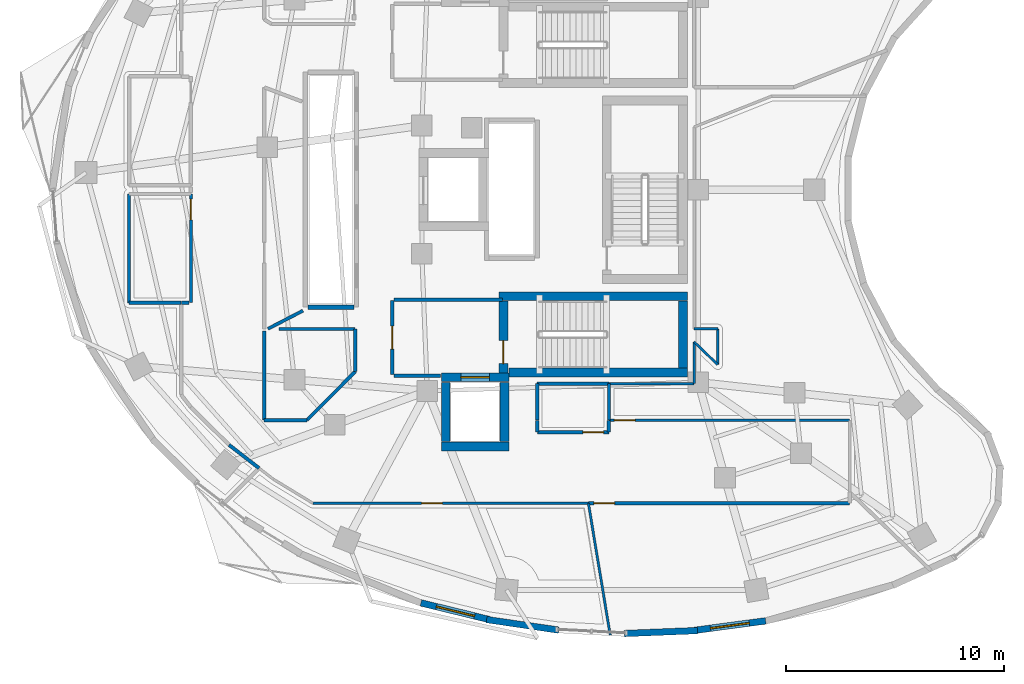
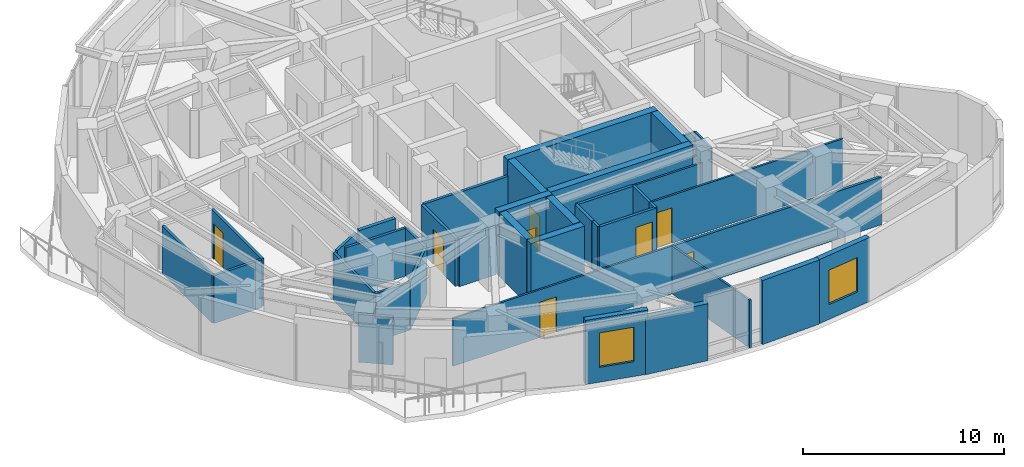
# One storey, part 7 of 13: 42 walls, 8 doors, 2 windows, 10 openings.
"""IFC4 building model written with IfcOpenShell, lengths in metres."""

import ifcopenshell
import ifcopenshell.guid

model = None  # the IFC model being written
_history = None  # IfcOwnerHistory: only IFC2X3 demands one
_inside = {}  # id of a spatial element -> (the spatial element, [elements in it])
_under = {}  # id of a project, library or spatial element -> (it, [spatial elements below it])
_declared = {}  # id of a project -> (the project, [libraries it declares])
_typed = {}  # id of a type object -> (the type object, [elements of that type])
_made_of = {}  # id of a material, layer set ... -> (it, [elements and type objects made of it])


def new_model(schema):
    """Start an empty IFC model of exactly this schema.

    Asked for "IFC4X3", IfcOpenShell would pick the latest addendum, in which some entities
    have other attributes; the version numbers below select the first issue.
    IFC2X3 requires an IfcOwnerHistory on every rooted entity: one is made here for all.
    """
    global model, _history
    if schema == "IFC4X3":
        model = ifcopenshell.file(schema_version=(4, 3, 0, 0))
    else:
        model = ifcopenshell.file(schema=schema)
    _inside.clear()
    _under.clear()
    _declared.clear()
    _typed.clear()
    _made_of.clear()
    _history = None
    if model.schema == "IFC2X3":
        org = make("IfcOrganization", Name="unknown")
        user = make(
            "IfcPersonAndOrganization",
            ThePerson=make("IfcPerson", FamilyName="unknown"),
            TheOrganization=org,
        )
        app = make(
            "IfcApplication",
            ApplicationDeveloper=org,
            Version="unknown",
            ApplicationFullName="unknown",
            ApplicationIdentifier="unknown",
        )
        _history = make(
            "IfcOwnerHistory",
            OwningUser=user,
            OwningApplication=app,
            ChangeAction="ADDED",
            CreationDate=0,
        )
    return model


def make(cls, **values):
    """One entity of the class cls with the attributes given. An attribute that is None is left unset."""
    return model.create_entity(
        cls, **{name: value for name, value in values.items() if value is not None}
    )


def rooted(cls, **values):
    """An entity with a GlobalId (a new one), such as an element, a storey or a relation."""
    return make(cls, GlobalId=ifcopenshell.guid.new(), OwnerHistory=_history, **values)


def si_unit(unit_type, name, prefix=None):
    """IfcSIUnit, for example si_unit("LENGTHUNIT", "METRE", prefix="MILLI")."""
    return make("IfcSIUnit", UnitType=unit_type, Prefix=prefix, Name=name)


def assignment(units):
    """IfcUnitAssignment: the units of a project."""
    return None if units is None else make("IfcUnitAssignment", Units=units)


def point(xyz):
    """IfcCartesianPoint."""
    return None if xyz is None else make("IfcCartesianPoint", Coordinates=xyz)


def direction(xyz):
    """IfcDirection."""
    return None if xyz is None else make("IfcDirection", DirectionRatios=xyz)


def frame(location, z_axis=None, x_axis=None):
    """IfcAxis2Placement3D, a coordinate frame: its origin and axes. An axis left out is left unset."""
    return make(
        "IfcAxis2Placement3D",
        Location=point(location),
        Axis=direction(z_axis),
        RefDirection=direction(x_axis),
    )


def frame_2d(location, x_axis=None):
    """IfcAxis2Placement2D, a coordinate frame in the plane: its origin and x axis."""
    return make(
        "IfcAxis2Placement2D", Location=point(location), RefDirection=direction(x_axis)
    )


def origin():
    """The frame at (0, 0, 0) with its axes left unset."""
    return frame((0.0, 0.0, 0.0))


def place(relative_to, where):
    """IfcLocalPlacement: puts the frame where relative to a parent placement (None: the world)."""
    return make(
        "IfcLocalPlacement", PlacementRelTo=relative_to, RelativePlacement=where
    )


def context(
    kind, dimensions, precision=None, world=None, true_north=None, identifier=None
):
    """IfcGeometricRepresentationContext, for example the 3D "Model" context."""
    return make(
        "IfcGeometricRepresentationContext",
        ContextIdentifier=identifier,
        ContextType=kind,
        CoordinateSpaceDimension=dimensions,
        Precision=precision,
        WorldCoordinateSystem=world,
        TrueNorth=true_north,
    )


def subcontext(parent, identifier, kind, view, scale=None):
    """IfcGeometricRepresentationSubContext, for example "Body" below "Model"."""
    return make(
        "IfcGeometricRepresentationSubContext",
        ContextIdentifier=identifier,
        ContextType=kind,
        ParentContext=parent,
        TargetScale=scale,
        TargetView=view,
    )


def project(units=None, contexts=None):
    """IfcProject with its units and contexts."""
    return rooted(
        "IfcProject",
        Name="project",
        RepresentationContexts=contexts,
        UnitsInContext=assignment(units),
    )


def spatial(cls, under=None, at=None, **own):
    """A site, building, storey or space (cls), placed at a placement, below another one or the project."""
    s = rooted(cls, ObjectPlacement=at, **own)
    if under is not None:
        _under.setdefault(under.id(), (under, []))[1].append(s)
    return s


def profile(cls, at=None, kind="AREA", **sizes):
    """A parametric profile (cls). Its sizes go by their IFC names, for example OverallWidth=200.0."""
    return make(cls, ProfileType=kind, Position=at, **sizes)


def rectangle(**sizes):
    """IfcRectangleProfileDef."""
    return profile("IfcRectangleProfileDef", **sizes)


def extrude(swept, where, along, depth):
    """IfcExtrudedAreaSolid: the profile swept, set in the frame where, extruded along a direction by depth."""
    return make(
        "IfcExtrudedAreaSolid",
        SweptArea=swept,
        Position=where,
        ExtrudedDirection=direction(along),
        Depth=depth,
    )


def shape(context_of_items, identifier, shape_type, items):
    """IfcShapeRepresentation: the items that make up one representation, for example the "Body"."""
    return make(
        "IfcShapeRepresentation",
        ContextOfItems=context_of_items,
        RepresentationIdentifier=identifier,
        RepresentationType=shape_type,
        Items=items,
    )


def material(Name=None, Category=None):
    """IfcMaterial."""
    return make("IfcMaterial", Name=Name, Category=Category)


def layer(
    of_material, thickness, ventilated=None, Name=None, Category=None, Priority=None
):
    """IfcMaterialLayer: one layer of a wall or slab, of a material (None: an air gap)."""
    return make(
        "IfcMaterialLayer",
        Material=of_material,
        LayerThickness=thickness,
        IsVentilated=ventilated,
        Name=Name,
        Category=Category,
        Priority=Priority,
    )


def layer_set(layers, Name=None):
    """IfcMaterialLayerSet."""
    return make("IfcMaterialLayerSet", MaterialLayers=layers, LayerSetName=Name)


def made_of(thing, what):
    """Note that an element or type object is made of a material, layer set ...; save() writes the relation."""
    if what is not None:
        _made_of.setdefault(what.id(), (what, []))[1].append(thing)
    return thing


def type_object(cls, material=None, **own):
    """A type object (cls), such as IfcWallType, which elements share."""
    return made_of(rooted(cls, **own), material)


def element(
    cls,
    number,
    at=None,
    inside=None,
    cuts=None,
    type_object=None,
    material=None,
    context=None,
    identifier="Body",
    shape_type=None,
    held_by="IfcProductDefinitionShape",
    body=None,
    shapes=None,
    **own,
):
    """One element of the class cls, such as IfcWall. Its Tag is "e" and its number.

    at: its placement. inside: the storey or other place that contains it. cuts: it is an
    opening in that element (IfcRelVoidsElement). A single representation is given by context,
    identifier, shape_type and body (its items); several are given by shapes. held_by: the class
    of the entity that holds the representations. save() writes the other relations.
    """
    e = rooted(cls, Tag="e%d" % number, ObjectPlacement=at, **own)
    if body is not None:
        shapes = [shape(context, identifier, shape_type, body)]
    if shapes is not None:
        e.Representation = make(held_by, Representations=shapes)
    if inside is not None:
        _inside.setdefault(inside.id(), (inside, []))[1].append(e)
    if cuts is not None:
        rooted(
            "IfcRelVoidsElement", RelatingBuildingElement=cuts, RelatedOpeningElement=e
        )
    if type_object is not None:
        _typed.setdefault(type_object.id(), (type_object, []))[1].append(e)
    return made_of(e, material)


def fill(opening, filler):
    """IfcRelFillsElement: the door or window that sits in an opening."""
    return rooted(
        "IfcRelFillsElement",
        RelatingOpeningElement=opening,
        RelatedBuildingElement=filler,
    )


def aggregate(whole, parts):
    """IfcRelAggregates: a whole, such as a stair, and the parts it consists of."""
    return rooted("IfcRelAggregates", RelatingObject=whole, RelatedObjects=parts)


def save(model, path):
    """Write the relations noted so far, then the file.

    IfcRelAggregates (storeys below a building ...), IfcRelContainedInSpatialStructure (elements
    in a storey), IfcRelDefinesByType, IfcRelAssociatesMaterial and IfcRelDeclares: one each for
    every whole, place, type object, material and project.
    """
    for whole, parts in _under.values():
        aggregate(whole, parts)
    for where, things in _inside.values():
        rooted(
            "IfcRelContainedInSpatialStructure",
            RelatedElements=things,
            RelatingStructure=where,
        )
    for kind, things in _typed.values():
        rooted("IfcRelDefinesByType", RelatedObjects=things, RelatingType=kind)
    for what, things in _made_of.values():
        rooted("IfcRelAssociatesMaterial", RelatedObjects=things, RelatingMaterial=what)
    for by, libraries in _declared.values():
        rooted("IfcRelDeclares", RelatingContext=by, RelatedDefinitions=libraries)
    model.write(path)


model = new_model("IFC4")

# Units and contexts
model_context = context("Model", 3, precision=1e-05, world=origin(), true_north=direction((0.0, 1.0)))
body_context = subcontext(model_context, "Body", "Model", "MODEL_VIEW")
ifc_project = project(units=[si_unit("LENGTHUNIT", "METRE"), si_unit("AREAUNIT", "SQUARE_METRE"), si_unit("VOLUMEUNIT", "CUBIC_METRE"), si_unit("PLANEANGLEUNIT", "RADIAN"), si_unit("MASSUNIT", "GRAM", prefix="KILO")], contexts=[model_context])

# Site, building, storey
site_placement = place(None, origin())
site = spatial("IfcSite", under=ifc_project, at=site_placement, CompositionType="ELEMENT")
building_placement = place(site_placement, origin())
building = spatial("IfcBuilding", under=site, at=building_placement, Name="Korentha Bioscience Tower", CompositionType="ELEMENT")
storey_placement = place(building_placement, frame((0.0, 0.0, 187.800048828125)))
storey = spatial("IfcBuildingStorey", under=building, at=storey_placement, Name="L43", CompositionType="ELEMENT", Elevation=187.800048828125)

# Wall, opening, door
ifc_material_1 = material(Name="Double-Stud Acoustic Gypsum", Category="gypsum")
ifc_layer_1 = layer(ifc_material_1, 0.14990234375, Name="Double-Stud Acoustic Gypsum")
ifc_layer_set_1 = layer_set([ifc_layer_1], Name="Double-Stud Acoustic Gypsum (IW-L150)")
wall_type_1 = type_object("IfcWallType", Name="Acoustic Laboratory Partition Wall 150", PredefinedType="PARTITIONING", material=ifc_layer_set_1)
wall_1_placement = place(storey_placement, frame((14.239990234375, 26.800048828125, 0.0), z_axis=(0.0, 0.0, 1.0), x_axis=(0.0, -1.0, 0.0)))
wall_1 = element("IfcWall", 1, at=wall_1_placement, inside=storey, type_object=wall_type_1, Name="L43 Reclaimed Bank-1 Cold Freezer Alcove Entrance Wall", PredefinedType="PARTITIONING", context=body_context, shape_type="SweptSolid", body=[
    extrude(rectangle(XDim=4.989990234375, YDim=0.14990234375, at=frame_2d((2.4951171875, 0.0))), origin(), (0.0, 0.0, 1.0), 2.909912109375),
])
opening_1_placement = place(wall_1_placement, frame((0.239990234375, 0.0, 0.0)))
opening_1 = element("IfcOpeningElement", 2, at=opening_1_placement, cuts=wall_1, Name="Opening ID-10R", PredefinedType="OPENING", context=body_context, shape_type="SweptSolid", body=[
    extrude(rectangle(XDim=0.949951171875, YDim=2.14990234375, at=frame_2d((0.47509765625, 1.074951171875))), frame((0.0, 0.08984375, 0.0), z_axis=(0.0, -1.0, 0.0), x_axis=(1.0, 0.0, 0.0)), (0.0, 0.0, 1.0), 0.1796875),
])
ifc_material_2 = material(Name="Phenolic Laminate Timber Core", Category="wood")
door_type_1 = type_object("IfcDoorType", Name="Laboratory Single Leaf Door 950x2150 Right", OperationType="SINGLE_SWING_RIGHT", PredefinedType="DOOR", material=ifc_material_2)
door_1_placement = place(opening_1_placement, origin())
door_1 = element("IfcDoor", 3, at=door_1_placement, inside=storey, type_object=door_type_1, Name="L43 Reclaimed Bank-1 Cold Freezer Alcove Door", OperationType="SINGLE_SWING_RIGHT", OverallHeight=2.14990234375, OverallWidth=0.949951171875, PredefinedType="DOOR", context=body_context, shape_type="SweptSolid", body=[
    extrude(rectangle(XDim=0.949951171875, YDim=2.14990234375, at=frame_2d((0.47509765625, 1.074951171875))), frame((0.0, 0.02490234375, 0.0), z_axis=(0.0, -1.0, 0.0), x_axis=(1.0, 0.0, 0.0)), (0.0, 0.0, 1.0), 0.050048828125),
])
fill(opening_1, door_1)

wall_2_placement = place(storey_placement, frame((32.51416015625, 12.590087890625, 0.0), z_axis=(0.0, 0.0, 1.0), x_axis=(1.0, 0.0, 0.0)))
wall_2 = element("IfcWall", 4, at=wall_2_placement, inside=storey, type_object=wall_type_1, Name="L43 Research Colloquium Seminar Room 04 Entrance Wall", PredefinedType="PARTITIONING", context=body_context, shape_type="SweptSolid", body=[
    extrude(rectangle(XDim=11.98583984375, YDim=0.14990234375, at=frame_2d((5.992919921875, 0.0))), origin(), (0.0, 0.0, 1.0), 2.909912109375),
])
opening_2_placement = place(wall_2_placement, frame((0.239990234375, 0.0, 0.0)))
opening_2 = element("IfcOpeningElement", 5, at=opening_2_placement, cuts=wall_2, Name="Opening ID-10L", PredefinedType="OPENING", context=body_context, shape_type="SweptSolid", body=[
    extrude(rectangle(XDim=0.949951171875, YDim=2.14990234375, at=frame_2d((0.47509765625, 1.074951171875))), frame((0.0, 0.08984375, 0.0), z_axis=(0.0, -1.0, 0.0), x_axis=(1.0, 0.0, 0.0)), (0.0, 0.0, 1.0), 0.1796875),
])
door_type_2 = type_object("IfcDoorType", Name="Laboratory Single Leaf Door 950x2150 Left", OperationType="SINGLE_SWING_LEFT", PredefinedType="DOOR", material=ifc_material_2)
door_2_placement = place(opening_2_placement, origin())
door_2 = element("IfcDoor", 6, at=door_2_placement, inside=storey, type_object=door_type_2, Name="L43 Research Colloquium Seminar Room 04 Door", OperationType="SINGLE_SWING_LEFT", OverallHeight=2.14990234375, OverallWidth=0.949951171875, PredefinedType="DOOR", context=body_context, shape_type="SweptSolid", body=[
    extrude(rectangle(XDim=0.949951171875, YDim=2.14990234375, at=frame_2d((0.47509765625, 1.074951171875))), frame((0.0, 0.02490234375, 0.0), z_axis=(0.0, -1.0, 0.0), x_axis=(1.0, 0.0, 0.0)), (0.0, 0.0, 1.0), 0.050048828125),
])
fill(opening_2, door_2)

# Walls
wall_3_placement = place(storey_placement, frame((14.162109375, 21.81005859375, 0.0), z_axis=(0.0, 0.0, 1.0), x_axis=(-1.0, 0.0, 0.0)))
element("IfcWall", 7, at=wall_3_placement, inside=storey, type_object=wall_type_1, Name="L43 Interior Partition 021", PredefinedType="PARTITIONING", context=body_context, shape_type="SweptSolid", body=[
    extrude(rectangle(XDim=0.362060546875, YDim=0.14990234375, at=frame_2d((0.18115234375, 0.0))), origin(), (0.0, 0.0, 1.0), 2.909912109375),
])
wall_4_placement = place(storey_placement, frame((13.7900390625, 21.800048828125, 0.0), z_axis=(0.0, 0.0, 1.0), x_axis=(-1.0, 0.0, 0.0)))
element("IfcWall", 8, at=wall_4_placement, inside=storey, type_object=wall_type_1, Name="L43 Interior Partition 022", PredefinedType="PARTITIONING", context=body_context, shape_type="SweptSolid", body=[
    extrude(rectangle(XDim=2.39013671875, YDim=0.14990234375, at=frame_2d((1.195068359375, 0.0))), origin(), (0.0, 0.0, 1.0), 2.909912109375),
])
wall_5_placement = place(storey_placement, frame((11.39990234375, 21.800048828125, 0.0), z_axis=(0.0, 0.0, 1.0), x_axis=(0.0, 1.0, 0.0)))
element("IfcWall", 9, at=wall_5_placement, inside=storey, type_object=wall_type_1, Name="L43 Interior Partition 023", PredefinedType="PARTITIONING", context=body_context, shape_type="SweptSolid", body=[
    extrude(rectangle(XDim=5.0, YDim=0.14990234375, at=frame_2d((2.5, 0.0))), origin(), (0.0, 0.0, 1.0), 2.909912109375),
])
wall_6_placement = place(storey_placement, frame((19.3896484375, 21.43994140625, 0.0), z_axis=(0.0, 0.0, 1.0), x_axis=(-0.887870664605, -0.460093124197, 0.0)))
element("IfcWall", 10, at=wall_6_placement, inside=storey, type_object=wall_type_1, Name="L43 Interior Partition 038", PredefinedType="PARTITIONING", context=body_context, shape_type="SweptSolid", body=[
    extrude(rectangle(XDim=1.813232421875, YDim=0.14990234375, at=frame_2d((0.90673828125, 0.0))), origin(), (0.0, 0.0, 1.0), 2.909912109375),
])
wall_7_placement = place(storey_placement, frame((18.286865234375, 20.597900390625, 0.0), z_axis=(0.0, 0.0, 1.0), x_axis=(1.0, 0.0, 0.0)))
element("IfcWall", 11, at=wall_7_placement, inside=storey, type_object=wall_type_1, Name="L43 Interior Partition 039", PredefinedType="PARTITIONING", context=body_context, shape_type="SweptSolid", body=[
    extrude(rectangle(XDim=3.503173828125, YDim=0.14990234375, at=frame_2d((1.75146484375, 0.0))), origin(), (0.0, 0.0, 1.0), 2.909912109375),
])
wall_8_placement = place(storey_placement, frame((21.7900390625, 20.597900390625, 0.0), z_axis=(0.0, 0.0, 1.0), x_axis=(0.0, -1.0, 0.0)))
element("IfcWall", 12, at=wall_8_placement, inside=storey, type_object=wall_type_1, Name="L43 Interior Partition 040", PredefinedType="PARTITIONING", context=body_context, shape_type="SweptSolid", body=[
    extrude(rectangle(XDim=1.95458984375, YDim=0.14990234375, at=frame_2d((0.977294921875, 0.0))), origin(), (0.0, 0.0, 1.0), 2.909912109375),
])
wall_9_placement = place(storey_placement, frame((21.7900390625, 18.643310546875, 0.0), z_axis=(0.0, 0.0, 1.0), x_axis=(-0.705866789687, -0.708344602024, 0.0)))
element("IfcWall", 13, at=wall_9_placement, inside=storey, type_object=wall_type_1, Name="L43 Interior Partition 041", PredefinedType="PARTITIONING", context=body_context, shape_type="SweptSolid", body=[
    extrude(rectangle(XDim=3.153076171875, YDim=0.14990234375, at=frame_2d((1.57666015625, 0.0))), origin(), (0.0, 0.0, 1.0), 2.909912109375),
])
wall_10_placement = place(storey_placement, frame((19.564453125, 16.409912109375, 0.0), z_axis=(0.0, 0.0, 1.0), x_axis=(-1.0, 0.0, 0.0)))
element("IfcWall", 14, at=wall_10_placement, inside=storey, type_object=wall_type_1, Name="L43 Interior Partition 042", PredefinedType="PARTITIONING", context=body_context, shape_type="SweptSolid", body=[
    extrude(rectangle(XDim=1.954345703125, YDim=0.14990234375, at=frame_2d((0.97705078125, 0.0))), origin(), (0.0, 0.0, 1.0), 2.909912109375),
])
wall_11_placement = place(storey_placement, frame((17.610107421875, 16.409912109375, 0.0), z_axis=(0.0, 0.0, 1.0), x_axis=(0.0, 1.0, 0.0)))
element("IfcWall", 15, at=wall_11_placement, inside=storey, type_object=wall_type_1, Name="L43 Interior Partition 043", PredefinedType="PARTITIONING", context=body_context, shape_type="SweptSolid", body=[
    extrude(rectangle(XDim=4.10302734375, YDim=0.14990234375, at=frame_2d((2.051513671875, 0.0))), origin(), (0.0, 0.0, 1.0), 2.909912109375),
])

# Wall, opening, door
ifc_material_3 = material(Name="Fire-Rated Framed Glass", Category="glass")
ifc_layer_2 = layer(ifc_material_3, 0.110107421875, Name="Fire-Rated Framed Glass")
ifc_layer_set_2 = layer_set([ifc_layer_2], Name="Fire-Rated Framed Glass (IW-G110)")
wall_type_2 = type_object("IfcWallType", Name="Demountable Glazed Office Partition 110", PredefinedType="MOVABLE", material=ifc_layer_set_2)
wall_12_placement = place(storey_placement, frame((19.849853515625, 12.590087890625, 0.0), z_axis=(0.0, 0.0, 1.0), x_axis=(1.0, 0.0, 0.0)))
wall_12 = element("IfcWall", 16, at=wall_12_placement, inside=storey, type_object=wall_type_2, Name="L43 Principal Investigator Office 03 Entrance Wall", PredefinedType="MOVABLE", context=body_context, shape_type="SweptSolid", body=[
    extrude(rectangle(XDim=12.654052734375, YDim=0.110107421875, at=frame_2d((6.3271484375, 0.0))), origin(), (0.0, 0.0, 1.0), 2.909912109375),
])
opening_3_placement = place(wall_12_placement, frame((4.994140625, 0.0, 0.0)))
opening_3 = element("IfcOpeningElement", 17, at=opening_3_placement, cuts=wall_12, Name="Opening ID-10R", PredefinedType="OPENING", context=body_context, shape_type="SweptSolid", body=[
    extrude(rectangle(XDim=0.949951171875, YDim=2.14990234375, at=frame_2d((0.47509765625, 1.074951171875))), frame((0.0, 0.06982421875, 0.0), z_axis=(0.0, -1.0, 0.0), x_axis=(1.0, 0.0, 0.0)), (0.0, 0.0, 1.0), 0.139892578125),
])
door_3_placement = place(opening_3_placement, origin())
door_3 = element("IfcDoor", 18, at=door_3_placement, inside=storey, type_object=door_type_1, Name="L43 Principal Investigator Office 03 Door", OperationType="SINGLE_SWING_RIGHT", OverallHeight=2.14990234375, OverallWidth=0.949951171875, PredefinedType="DOOR", context=body_context, shape_type="SweptSolid", body=[
    extrude(rectangle(XDim=0.949951171875, YDim=2.14990234375, at=frame_2d((0.47509765625, 1.074951171875))), frame((0.0, 0.02490234375, 0.0), z_axis=(0.0, -1.0, 0.0), x_axis=(1.0, 0.0, 0.0)), (0.0, 0.0, 1.0), 0.050048828125),
])
fill(opening_3, door_3)

wall_13_placement = place(storey_placement, frame((44.5, 16.409912109375, 0.0), z_axis=(0.0, 0.0, 1.0), x_axis=(-1.0, 0.0, 0.0)))
wall_13 = element("IfcWall", 19, at=wall_13_placement, inside=storey, type_object=wall_type_2, Name="L43 Postdoctoral Fellows' Quiet Study 05 Entrance Wall", PredefinedType="MOVABLE", context=body_context, shape_type="SweptSolid", body=[
    extrude(rectangle(XDim=11.0400390625, YDim=0.110107421875, at=frame_2d((5.52001953125, 0.0))), origin(), (0.0, 0.0, 1.0), 2.909912109375),
])
opening_4_placement = place(wall_13_placement, frame((9.85009765625, 0.0, 0.0)))
opening_4 = element("IfcOpeningElement", 20, at=opening_4_placement, cuts=wall_13, Name="Opening ID-10R", PredefinedType="OPENING", context=body_context, shape_type="SweptSolid", body=[
    extrude(rectangle(XDim=0.949951171875, YDim=2.14990234375, at=frame_2d((0.47509765625, 1.074951171875))), frame((0.0, 0.06982421875, 0.0), z_axis=(0.0, -1.0, 0.0), x_axis=(1.0, 0.0, 0.0)), (0.0, 0.0, 1.0), 0.139892578125),
])
door_4_placement = place(opening_4_placement, origin())
door_4 = element("IfcDoor", 21, at=door_4_placement, inside=storey, type_object=door_type_1, Name="L43 Postdoctoral Fellows' Quiet Study 05 Door", OperationType="SINGLE_SWING_RIGHT", OverallHeight=2.14990234375, OverallWidth=0.949951171875, PredefinedType="DOOR", context=body_context, shape_type="SweptSolid", body=[
    extrude(rectangle(XDim=0.949951171875, YDim=2.14990234375, at=frame_2d((0.47509765625, 1.074951171875))), frame((0.0, 0.02490234375, 0.0), z_axis=(0.0, -1.0, 0.0), x_axis=(1.0, 0.0, 0.0)), (0.0, 0.0, 1.0), 0.050048828125),
])
fill(opening_4, door_4)

# Walls
wall_14_placement = place(storey_placement, frame((32.50390625, 12.590087890625, 0.0), z_axis=(0.0, 0.0, 1.0), x_axis=(0.163321963264, -0.986572823625, 0.0)))
element("IfcWall", 22, at=wall_14_placement, inside=storey, type_object=wall_type_2, Name="L43 Interior Partition 046", PredefinedType="MOVABLE", context=body_context, shape_type="SweptSolid", body=[
    extrude(rectangle(XDim=6.139404296875, YDim=0.110107421875, at=frame_2d((3.06982421875, 0.0))), origin(), (0.0, 0.0, 1.0), 2.909912109375),
])
wall_15_placement = place(storey_placement, frame((38.451904296875, 18.9609375, 0.0), z_axis=(0.0, 0.0, 1.0), x_axis=(0.0, 1.0, 0.0)))
element("IfcWall", 23, at=wall_15_placement, inside=storey, type_object=wall_type_2, Name="L43 Interior Partition 049", PredefinedType="MOVABLE", context=body_context, shape_type="SweptSolid", body=[
    extrude(rectangle(XDim=1.636962890625, YDim=0.110107421875, at=frame_2d((0.818359375, 0.0))), origin(), (0.0, 0.0, 1.0), 2.909912109375),
])
wall_16_placement = place(storey_placement, frame((38.44775390625, 20.60205078125, 0.0), z_axis=(0.0, 0.0, 1.0), x_axis=(-1.0, 0.0, 0.0)))
element("IfcWall", 24, at=wall_16_placement, inside=storey, type_object=wall_type_2, Name="L43 Interior Partition 050", PredefinedType="MOVABLE", context=body_context, shape_type="SweptSolid", body=[
    extrude(rectangle(XDim=1.087646484375, YDim=0.110107421875, at=frame_2d((0.5439453125, 0.0))), origin(), (0.0, 0.0, 1.0), 2.909912109375),
])
wall_17_placement = place(storey_placement, frame((33.4599609375, 18.090087890625, 0.0), z_axis=(0.0, 0.0, 1.0), x_axis=(1.0, 0.0, 0.0)))
element("IfcWall", 25, at=wall_17_placement, inside=storey, type_object=wall_type_2, Name="L43 Interior Partition 056", PredefinedType="MOVABLE", context=body_context, shape_type="SweptSolid", body=[
    extrude(rectangle(XDim=3.89013671875, YDim=0.110107421875, at=frame_2d((1.945068359375, 0.0))), origin(), (0.0, 0.0, 1.0), 2.909912109375),
])
wall_18_placement = place(storey_placement, frame((37.360107421875, 18.10009765625, 0.0), z_axis=(0.0, 0.0, 1.0), x_axis=(0.0, 1.0, 0.0)))
element("IfcWall", 26, at=wall_18_placement, inside=storey, type_object=wall_type_2, Name="L43 Interior Partition 057", PredefinedType="MOVABLE", context=body_context, shape_type="SweptSolid", body=[
    extrude(rectangle(XDim=1.906005859375, YDim=0.110107421875, at=frame_2d((0.953125, 0.0))), origin(), (0.0, 0.0, 1.0), 2.909912109375),
])
wall_19_placement = place(storey_placement, frame((37.360107421875, 20.006103515625, 0.0), z_axis=(0.0, 0.0, 1.0), x_axis=(0.719298285006, -0.694701358274, 0.0)))
element("IfcWall", 27, at=wall_19_placement, inside=storey, type_object=wall_type_2, Name="L43 Interior Partition 058", PredefinedType="MOVABLE", context=body_context, shape_type="SweptSolid", body=[
    extrude(rectangle(XDim=1.5087890625, YDim=0.110107421875, at=frame_2d((0.75439453125, 0.0))), origin(), (0.0, 0.0, 1.0), 2.909912109375),
])

# Wall, opening, door
ifc_material_4 = material(Name="Gypsum-Clad Steel Stud", Category="steel")
ifc_layer_3 = layer(ifc_material_4, 0.159912109375, Name="Gypsum-Clad Steel Stud")
ifc_layer_set_3 = layer_set([ifc_layer_3], Name="Gypsum-Clad Steel Stud (IW-C160)")
wall_type_3 = type_object("IfcWallType", Name="Fire-Rated Corridor Partition Wall 160", PredefinedType="PARTITIONING", material=ifc_layer_set_3)
wall_20_placement = place(storey_placement, frame((23.5, 18.5, 0.0), z_axis=(0.0, 0.0, 1.0), x_axis=(0.0, 1.0, 0.0)))
wall_20 = element("IfcWall", 28, at=wall_20_placement, inside=storey, type_object=wall_type_3, Name="L43 FFLS-CW Rated Enclosure Wall", PredefinedType="PARTITIONING", context=body_context, shape_type="SweptSolid", body=[
    extrude(rectangle(XDim=3.39990234375, YDim=0.159912109375, at=frame_2d((1.699951171875, 0.0))), origin(), (0.0, 0.0, 1.0), 2.909912109375),
])
opening_5_placement = place(wall_20_placement, frame((1.175048828125, 0.0, 0.0)))
opening_5 = element("IfcOpeningElement", 29, at=opening_5_placement, cuts=wall_20, Name="Opening FD-90R", PredefinedType="OPENING", context=body_context, shape_type="SweptSolid", body=[
    extrude(rectangle(XDim=1.050048828125, YDim=2.14990234375, at=frame_2d((0.52490234375, 1.074951171875))), frame((0.0, 0.0947265625, 0.0), z_axis=(0.0, -1.0, 0.0), x_axis=(1.0, 0.0, 0.0)), (0.0, 0.0, 1.0), 0.189697265625),
])
ifc_material_5 = material(Name="Powder-Coated Fire-Rated Steel", Category="steel")
door_type_3 = type_object("IfcDoorType", Name="Stairwell Fire Exit Door 1050x2150 Right", OperationType="SINGLE_SWING_RIGHT", PredefinedType="DOOR", material=ifc_material_5)
door_5_placement = place(opening_5_placement, origin())
door_5 = element("IfcDoor", 30, at=door_5_placement, inside=storey, type_object=door_type_3, Name="L43 South Firefighting Lobby Door", OperationType="SINGLE_SWING_RIGHT", OverallHeight=2.14990234375, OverallWidth=1.050048828125, PredefinedType="DOOR", context=body_context, shape_type="SweptSolid", body=[
    extrude(rectangle(XDim=1.050048828125, YDim=2.14990234375, at=frame_2d((0.52490234375, 1.074951171875))), frame((0.0, 0.02490234375, 0.0), z_axis=(0.0, -1.0, 0.0), x_axis=(1.0, 0.0, 0.0)), (0.0, 0.0, 1.0), 0.050048828125),
])
fill(opening_5, door_5)

# Walls
wall_21_placement = place(storey_placement, frame((23.580078125, 21.949951171875, 0.0), z_axis=(0.0, 0.0, 1.0), x_axis=(1.0, 0.0, 0.0)))
element("IfcWall", 31, at=wall_21_placement, inside=storey, type_object=wall_type_3, Name="L43 Firefighting Lobby Return Wall FFLS-N", PredefinedType="PARTITIONING", context=body_context, shape_type="SweptSolid", body=[
    extrude(rectangle(XDim=4.969970703125, YDim=0.159912109375, at=frame_2d((2.48486328125, 0.0))), origin(), (0.0, 0.0, 1.0), 2.909912109375),
])
wall_22_placement = place(storey_placement, frame((23.580078125, 18.449951171875, 0.0), z_axis=(0.0, 0.0, 1.0), x_axis=(1.0, 0.0, 0.0)))
element("IfcWall", 32, at=wall_22_placement, inside=storey, type_object=wall_type_3, Name="L43 Firefighting Lobby Return Wall FFLS-S", PredefinedType="PARTITIONING", context=body_context, shape_type="SweptSolid", body=[
    extrude(rectangle(XDim=2.119873046875, YDim=0.159912109375, at=frame_2d((1.06005859375, 0.0))), origin(), (0.0, 0.0, 1.0), 2.909912109375),
])

# Wall, opening, door
wall_23_placement = place(storey_placement, frame((33.43994140625, 15.860107421875, 0.0), z_axis=(0.0, 0.0, 1.0), x_axis=(-1.0, 0.0, 0.0)))
wall_23 = element("IfcWall", 33, at=wall_23_placement, inside=storey, type_object=wall_type_3, Name="L43 Core Instrumentation and Gas Store Entrance Wall", PredefinedType="PARTITIONING", context=body_context, shape_type="SweptSolid", body=[
    extrude(rectangle(XDim=3.280029296875, YDim=0.159912109375, at=frame_2d((1.64013671875, 0.0))), origin(), (0.0, 0.0, 1.0), 2.909912109375),
])
opening_6_placement = place(wall_23_placement, frame((0.239990234375, 0.0, 0.0)))
opening_6 = element("IfcOpeningElement", 34, at=opening_6_placement, cuts=wall_23, Name="Opening ID-10R", PredefinedType="OPENING", context=body_context, shape_type="SweptSolid", body=[
    extrude(rectangle(XDim=0.949951171875, YDim=2.14990234375, at=frame_2d((0.47509765625, 1.074951171875))), frame((0.0, 0.0947265625, 0.0), z_axis=(0.0, -1.0, 0.0), x_axis=(1.0, 0.0, 0.0)), (0.0, 0.0, 1.0), 0.189697265625),
])
door_6_placement = place(opening_6_placement, origin())
door_6 = element("IfcDoor", 35, at=door_6_placement, inside=storey, type_object=door_type_1, Name="L43 Core Instrumentation and Gas Store Door", OperationType="SINGLE_SWING_RIGHT", OverallHeight=2.14990234375, OverallWidth=0.949951171875, PredefinedType="DOOR", context=body_context, shape_type="SweptSolid", body=[
    extrude(rectangle(XDim=0.949951171875, YDim=2.14990234375, at=frame_2d((0.47509765625, 1.074951171875))), frame((0.0, 0.02490234375, 0.0), z_axis=(0.0, -1.0, 0.0), x_axis=(1.0, 0.0, 0.0)), (0.0, 0.0, 1.0), 0.050048828125),
])
fill(opening_6, door_6)

# Walls
for number, where, z_axis, x_axis, name in (
    (36, (33.43994140625, 16.39990234375, 0.0), (0.0, 0.0, 1.0), (0.0, -1.0, 0.0), "L43 Interior Partition 014"),
    (37, (30.159912109375, 15.860107421875, 0.0), (0.0, 0.0, 1.0), (0.0, 1.0, 0.0), "L43 Interior Partition 015"),
):
    element("IfcWall", number, at=place(storey_placement, frame(where, z_axis=z_axis, x_axis=x_axis)), inside=storey, type_object=wall_type_3, Name=name, PredefinedType="PARTITIONING", context=body_context, shape_type="SweptSolid", body=[
        extrude(rectangle(XDim=0.539794921875, YDim=0.159912109375, at=frame_2d((0.27001953125, 0.0))), origin(), (0.0, 0.0, 1.0), 2.909912109375),
    ])
wall_24_placement = place(storey_placement, frame((30.14990234375, 16.409912109375, 0.0), z_axis=(0.0, 0.0, 1.0), x_axis=(0.0, 1.0, 0.0)))
element("IfcWall", 38, at=wall_24_placement, inside=storey, type_object=wall_type_3, Name="L43 Interior Partition 016", PredefinedType="PARTITIONING", context=body_context, shape_type="SweptSolid", body=[
    extrude(rectangle(XDim=1.68017578125, YDim=0.159912109375, at=frame_2d((0.840087890625, 0.0))), origin(), (0.0, 0.0, 1.0), 2.909912109375),
])
wall_25_placement = place(storey_placement, frame((30.14990234375, 18.090087890625, 0.0), z_axis=(0.0, 0.0, 1.0), x_axis=(1.0, 0.0, 0.0)))
element("IfcWall", 39, at=wall_25_placement, inside=storey, type_object=wall_type_3, Name="L43 Interior Partition 017", PredefinedType="PARTITIONING", context=body_context, shape_type="SweptSolid", body=[
    extrude(rectangle(XDim=3.300048828125, YDim=0.159912109375, at=frame_2d((1.64990234375, 0.0))), origin(), (0.0, 0.0, 1.0), 2.909912109375),
])
wall_26_placement = place(storey_placement, frame((33.449951171875, 18.090087890625, 0.0), z_axis=(0.0, 0.0, 1.0), x_axis=(0.0, -1.0, 0.0)))
element("IfcWall", 40, at=wall_26_placement, inside=storey, type_object=wall_type_3, Name="L43 Interior Partition 018", PredefinedType="PARTITIONING", context=body_context, shape_type="SweptSolid", body=[
    extrude(rectangle(XDim=1.68017578125, YDim=0.159912109375, at=frame_2d((0.840087890625, 0.0))), origin(), (0.0, 0.0, 1.0), 2.909912109375),
])
wall_27_placement = place(storey_placement, frame((15.99462890625, 15.27099609375, 0.0), z_axis=(0.0, 0.0, 1.0), x_axis=(0.790583329936, -0.612354471224, 0.0)))
element("IfcWall", 41, at=wall_27_placement, inside=storey, type_object=wall_type_3, Name="L43 Interior Partition 035", PredefinedType="PARTITIONING", context=body_context, shape_type="SweptSolid", body=[
    extrude(rectangle(XDim=1.73828125, YDim=0.159912109375, at=frame_2d((0.869140625, 0.0))), origin(), (0.0, 0.0, 1.0), 2.909912109375),
])

# Wall, opening, window
ifc_material_6 = material(Name="Honed Limestone Precast Concrete C40", Category="masonry")
ifc_layer_4 = layer(ifc_material_6, 0.300048828125, Name="Honed Limestone Precast Concrete C40")
ifc_layer_set_4 = layer_set([ifc_layer_4], Name="Honed Limestone Precast Concrete C40 (EW-ST300)")
wall_type_4 = type_object("IfcWallType", Name="Honed Limestone Cavity Spandrel Wall 300", PredefinedType="STANDARD", material=ifc_layer_set_4)
wall_28_placement = place(storey_placement, frame((24.806640625, 8.015625, 0.0), z_axis=(0.0, 0.0, 1.0), x_axis=(0.971312804689, -0.237805457142, 0.0)))
wall_28 = element("IfcWall", 42, at=wall_28_placement, inside=storey, type_object=wall_type_4, Name="L43 Honed Limestone Spandrel Wall 29", PredefinedType="STANDARD", context=body_context, shape_type="SweptSolid", body=[
    extrude(rectangle(XDim=3.268798828125, YDim=0.300048828125, at=frame_2d((1.63427734375, 0.0))), origin(), (0.0, 0.0, 1.0), 3.89990234375),
])
opening_7_placement = place(wall_28_placement, frame((0.734375, 0.0, 0.89990234375)))
opening_7 = element("IfcOpeningElement", 43, at=opening_7_placement, cuts=wall_28, Name="Opening WN-01", PredefinedType="OPENING", context=body_context, shape_type="SweptSolid", body=[
    extrude(rectangle(XDim=1.800048828125, YDim=2.10009765625, at=frame_2d((0.89990234375, 1.050048828125))), frame((0.0, 0.1650390625, 0.0), z_axis=(0.0, -1.0, 0.0), x_axis=(1.0, 0.0, 0.0)), (0.0, 0.0, 1.0), 0.329833984375),
])
ifc_material_7 = material(Name="Thermally Broken Aluminium Triple Glazing", Category="aluminium")
window_type = type_object("IfcWindowType", Name="Triple-Glazed Fixed Bioscience Window 1800x2100", PartitioningType="SINGLE_PANEL", PredefinedType="WINDOW", material=ifc_material_7)
window_1_placement = place(opening_7_placement, origin())
window_1 = element("IfcWindow", 44, at=window_1_placement, inside=storey, type_object=window_type, Name="L43 Facade Window 29", OverallHeight=2.10009765625, OverallWidth=1.800048828125, PartitioningType="SINGLE_PANEL", PredefinedType="WINDOW", context=body_context, shape_type="SweptSolid", body=[
    extrude(rectangle(XDim=1.800048828125, YDim=2.10009765625, at=frame_2d((0.89990234375, 1.050048828125))), frame((0.0, 0.030029296875, 0.0), z_axis=(0.0, -1.0, 0.0), x_axis=(1.0, 0.0, 0.0)), (0.0, 0.0, 1.0), 0.06005859375),
])
fill(opening_7, window_1)

wall_29_placement = place(storey_placement, frame((37.365478515625, 6.748291015625, 0.0), z_axis=(0.0, 0.0, 1.0), x_axis=(0.991139436205, 0.132825517122, 0.0)))
wall_29 = element("IfcWall", 45, at=wall_29_placement, inside=storey, type_object=wall_type_4, Name="L43 Honed Limestone Spandrel Wall 33", PredefinedType="STANDARD", context=body_context, shape_type="SweptSolid", body=[
    extrude(rectangle(XDim=3.310302734375, YDim=0.300048828125, at=frame_2d((1.6552734375, 0.0))), origin(), (0.0, 0.0, 1.0), 3.89990234375),
])
opening_8_placement = place(wall_29_placement, frame((0.755126953125, 0.0, 0.89990234375)))
opening_8 = element("IfcOpeningElement", 46, at=opening_8_placement, cuts=wall_29, Name="Opening WN-01", PredefinedType="OPENING", context=body_context, shape_type="SweptSolid", body=[
    extrude(rectangle(XDim=1.800048828125, YDim=2.10009765625, at=frame_2d((0.89990234375, 1.050048828125))), frame((0.0, 0.1650390625, 0.0), z_axis=(0.0, -1.0, 0.0), x_axis=(1.0, 0.0, 0.0)), (0.0, 0.0, 1.0), 0.329833984375),
])
window_2_placement = place(opening_8_placement, origin())
window_2 = element("IfcWindow", 47, at=window_2_placement, inside=storey, type_object=window_type, Name="L43 Facade Window 33", OverallHeight=2.10009765625, OverallWidth=1.800048828125, PartitioningType="SINGLE_PANEL", PredefinedType="WINDOW", context=body_context, shape_type="SweptSolid", body=[
    extrude(rectangle(XDim=1.800048828125, YDim=2.10009765625, at=frame_2d((0.89990234375, 1.050048828125))), frame((0.0, 0.030029296875, 0.0), z_axis=(0.0, -1.0, 0.0), x_axis=(1.0, 0.0, 0.0)), (0.0, 0.0, 1.0), 0.06005859375),
])
fill(opening_8, window_2)

# Walls
wall_30_placement = place(storey_placement, frame((27.826416015625, 7.247314453125, 0.0), z_axis=(0.0, 0.0, 1.0), x_axis=(0.98945927954, -0.144811374319, 0.0)))
element("IfcWall", 48, at=wall_30_placement, inside=storey, type_object=wall_type_4, Name="L43 Limestone Perimeter Closure Wall 30", PredefinedType="STANDARD", context=body_context, shape_type="SweptSolid", body=[
    extrude(rectangle(XDim=3.346435546875, YDim=0.300048828125, at=frame_2d((1.67333984375, 0.0))), origin(), (0.0, 0.0, 1.0), 3.469970703125),
])
wall_31_placement = place(storey_placement, frame((34.1552734375, 6.605224609375, 0.0), z_axis=(0.0, 0.0, 1.0), x_axis=(0.999190386434, 0.040231475948, 0.0)))
element("IfcWall", 49, at=wall_31_placement, inside=storey, type_object=wall_type_4, Name="L43 Limestone Perimeter Closure Wall 32", PredefinedType="STANDARD", context=body_context, shape_type="SweptSolid", body=[
    extrude(rectangle(XDim=3.367919921875, YDim=0.300048828125, at=frame_2d((1.68408203125, 0.0))), origin(), (0.0, 0.0, 1.0), 3.89990234375),
])
ifc_material_8 = material(Name="Autoclaved Aerated Concrete Block C25", Category="concrete")
ifc_layer_5 = layer(ifc_material_8, 0.199951171875, Name="Autoclaved Aerated Concrete Block C25")
ifc_layer_set_5 = layer_set([ifc_layer_5], Name="Autoclaved Aerated Concrete Block C25 (IW-S200)")
wall_type_5 = type_object("IfcWallType", Name="Lift and Riser Shaft Enclosure Wall 200", PredefinedType="PARTITIONING", material=ifc_layer_set_5)
wall_32_placement = place(storey_placement, frame((19.6201171875, 21.60009765625, 0.0), z_axis=(0.0, 0.0, 1.0), x_axis=(1.0, 0.0, 0.0)))
element("IfcWall", 50, at=wall_32_placement, inside=storey, type_object=wall_type_5, Name="L43 Lift Bank MID Shaft Wall -Y", PredefinedType="PARTITIONING", context=body_context, shape_type="SweptSolid", body=[
    extrude(rectangle(XDim=2.10986328125, YDim=0.199951171875, at=frame_2d((1.054931640625, 0.0))), origin(), (0.0, 0.0, 1.0), 2.909912109375),
])
ifc_material_9 = material(Name="Concrete C65", Category="concrete")
ifc_layer_6 = layer(ifc_material_9, 0.39990234375, Name="Concrete C65")
ifc_layer_set_6 = layer_set([ifc_layer_6], Name="Concrete C65 (CW-C65)")
wall_type_6 = type_object("IfcWallType", Name="Mid-Rise Core Shear Wall 400", PredefinedType="SHEAR", material=ifc_layer_set_6)
wall_33_placement = place(storey_placement, frame((28.85205078125, 18.60009765625, 0.0), z_axis=(0.0, 0.0, 1.0), x_axis=(1.0, 0.0, 0.0)))
element("IfcWall", 51, at=wall_33_placement, inside=storey, type_object=wall_type_6, Name="L43 Core Shear Wall ST2-S", PredefinedType="SHEAR", context=body_context, shape_type="SweptSolid", body=[
    extrude(rectangle(XDim=8.197998046875, YDim=0.39990234375, at=frame_2d((4.09912109375, 0.0))), origin(), (0.0, 0.0, 1.0), 3.89990234375),
])
wall_34_placement = place(storey_placement, frame((28.39990234375, 22.10009765625, 0.0), z_axis=(0.0, 0.0, 1.0), x_axis=(1.0, 0.0, 0.0)))
element("IfcWall", 52, at=wall_34_placement, inside=storey, type_object=wall_type_6, Name="L43 Core Shear Wall ST2-N", PredefinedType="SHEAR", context=body_context, shape_type="SweptSolid", body=[
    extrude(rectangle(XDim=8.650146484375, YDim=0.39990234375, at=frame_2d((4.3251953125, 0.0))), origin(), (0.0, 0.0, 1.0), 3.89990234375),
])
wall_35_placement = place(storey_placement, frame((36.85009765625, 18.81005859375, 0.0), z_axis=(0.0, 0.0, 1.0), x_axis=(0.0, 1.0, 0.0)))
element("IfcWall", 53, at=wall_35_placement, inside=storey, type_object=wall_type_6, Name="L43 Core Shear Wall ST2-E", PredefinedType="SHEAR", context=body_context, shape_type="SweptSolid", body=[
    extrude(rectangle(XDim=3.079833984375, YDim=0.39990234375, at=frame_2d((1.5400390625, 0.0))), origin(), (0.0, 0.0, 1.0), 3.89990234375),
])

# Wall, opening, door
wall_36_placement = place(storey_placement, frame((28.60009765625, 18.58203125, 0.0), z_axis=(0.0, 0.0, 1.0), x_axis=(0.0, 1.0, 0.0)))
wall_36 = element("IfcWall", 54, at=wall_36_placement, inside=storey, type_object=wall_type_6, Name="L43 Core Shear Wall ST2-W", PredefinedType="SHEAR", context=body_context, shape_type="SweptSolid", body=[
    extrude(rectangle(XDim=3.307861328125, YDim=0.39990234375, at=frame_2d((1.65380859375, 0.0))), origin(), (0.0, 0.0, 1.0), 3.89990234375),
])
opening_9_placement = place(wall_36_placement, frame((0.427978515625, 0.0, 0.0)))
opening_9 = element("IfcOpeningElement", 55, at=opening_9_placement, cuts=wall_36, Name="Opening FD-90R", PredefinedType="OPENING", context=body_context, shape_type="SweptSolid", body=[
    extrude(rectangle(XDim=1.050048828125, YDim=2.14990234375, at=frame_2d((0.52490234375, 1.074951171875))), frame((0.0, 0.21484375, 0.0), z_axis=(0.0, -1.0, 0.0), x_axis=(1.0, 0.0, 0.0)), (0.0, 0.0, 1.0), 0.4296875),
])
door_7_placement = place(opening_9_placement, origin())
door_7 = element("IfcDoor", 56, at=door_7_placement, inside=storey, type_object=door_type_3, Name="L43 ST-2 Fire Exit Stair Door", OperationType="SINGLE_SWING_RIGHT", OverallHeight=2.14990234375, OverallWidth=1.050048828125, PredefinedType="DOOR", context=body_context, shape_type="SweptSolid", body=[
    extrude(rectangle(XDim=1.050048828125, YDim=2.14990234375, at=frame_2d((0.52490234375, 1.074951171875))), frame((0.0, 0.02490234375, 0.0), z_axis=(0.0, -1.0, 0.0), x_axis=(1.0, 0.0, 0.0)), (0.0, 0.0, 1.0), 0.050048828125),
])
fill(opening_9, door_7)

# Wall
wall_37_placement = place(storey_placement, frame((25.75, 15.199951171875, 0.0), z_axis=(0.0, 0.0, 1.0), x_axis=(1.0, 0.0, 0.0)))
element("IfcWall", 57, at=wall_37_placement, inside=storey, type_object=wall_type_6, Name="L43 Core Shear Wall FFL1-S", PredefinedType="SHEAR", context=body_context, shape_type="SweptSolid", body=[
    extrude(rectangle(XDim=3.10009765625, YDim=0.39990234375, at=frame_2d((1.550048828125, 0.0))), origin(), (0.0, 0.0, 1.0), 3.89990234375),
])

# Wall, opening, door
wall_38_placement = place(storey_placement, frame((25.75, 18.3798828125, 0.0), z_axis=(0.0, 0.0, 1.0), x_axis=(1.0, 0.0, 0.0)))
wall_38 = element("IfcWall", 58, at=wall_38_placement, inside=storey, type_object=wall_type_6, Name="L43 Core Shear Wall FFL1-N", PredefinedType="SHEAR", context=body_context, shape_type="SweptSolid", body=[
    extrude(rectangle(XDim=3.10009765625, YDim=0.39990234375, at=frame_2d((1.550048828125, 0.0))), origin(), (0.0, 0.0, 1.0), 3.89990234375),
])
opening_10_placement = place(wall_38_placement, frame((0.89990234375, 0.0, 0.0)))
opening_10 = element("IfcOpeningElement", 59, at=opening_10_placement, cuts=wall_38, Name="Opening LD-13", PredefinedType="OPENING", context=body_context, shape_type="SweptSolid", body=[
    extrude(rectangle(XDim=1.300048828125, YDim=2.199951171875, at=frame_2d((0.64990234375, 1.10009765625))), frame((0.0, 0.21484375, 0.0), z_axis=(0.0, -1.0, 0.0), x_axis=(1.0, 0.0, 0.0)), (0.0, 0.0, 1.0), 0.4296875),
])
ifc_material_10 = material(Name="Brushed Stainless Steel 316", Category="steel")
door_type_4 = type_object("IfcDoorType", Name="Service & Firefighting Lift Landing Door 1300x2300", OperationType="DOUBLE_DOOR_SLIDING", PredefinedType="DOOR", material=ifc_material_10)
door_8_placement = place(opening_10_placement, origin())
door_8 = element("IfcDoor", 60, at=door_8_placement, inside=storey, type_object=door_type_4, Name="L43 FFL-1 Sliding Lift Landing Door", OperationType="DOUBLE_DOOR_SLIDING", OverallHeight=2.199951171875, OverallWidth=1.300048828125, PredefinedType="DOOR", context=body_context, shape_type="SweptSolid", body=[
    extrude(rectangle(XDim=1.300048828125, YDim=2.199951171875, at=frame_2d((0.64990234375, 1.10009765625))), frame((0.0, 0.02490234375, 0.0), z_axis=(0.0, -1.0, 0.0), x_axis=(1.0, 0.0, 0.0)), (0.0, 0.0, 1.0), 0.050048828125),
])
fill(opening_10, door_8)

# Walls
for number, where, z_axis, x_axis, name in (
    (61, (25.949951171875, 15.43994140625, 0.0), (0.0, 0.0, 1.0), (0.0, 1.0, 0.0), "L43 Core Shear Wall FFL1-W"),
    (62, (28.64990234375, 15.43994140625, 0.0), (0.0, 0.0, 1.0), (0.0, 1.0, 0.0), "L43 Core Shear Wall FFL1-E"),
):
    element("IfcWall", number, at=place(storey_placement, frame(where, z_axis=z_axis, x_axis=x_axis)), inside=storey, type_object=wall_type_6, Name=name, PredefinedType="SHEAR", context=body_context, shape_type="SweptSolid", body=[
        extrude(rectangle(XDim=2.699951171875, YDim=0.39990234375, at=frame_2d((1.35009765625, 0.0))), origin(), (0.0, 0.0, 1.0), 3.89990234375),
    ])

save(model, "model.ifc")
